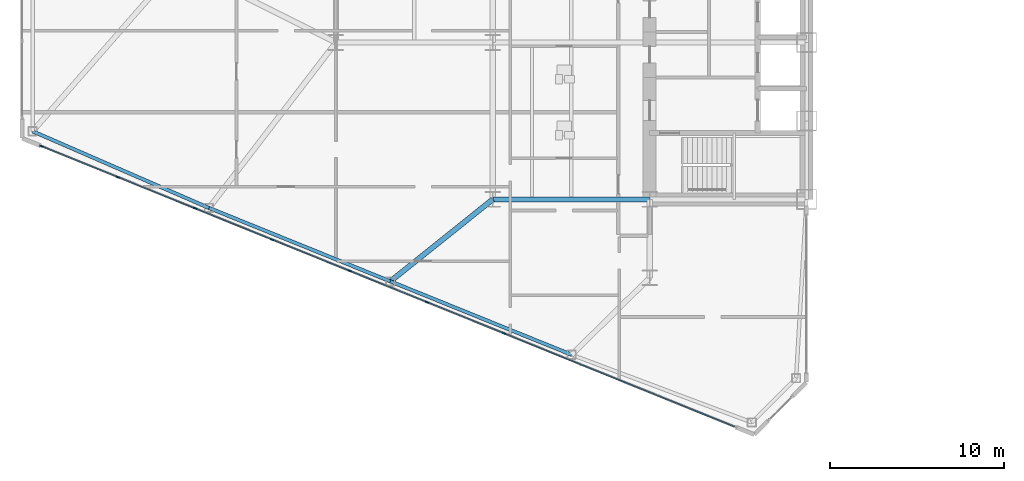
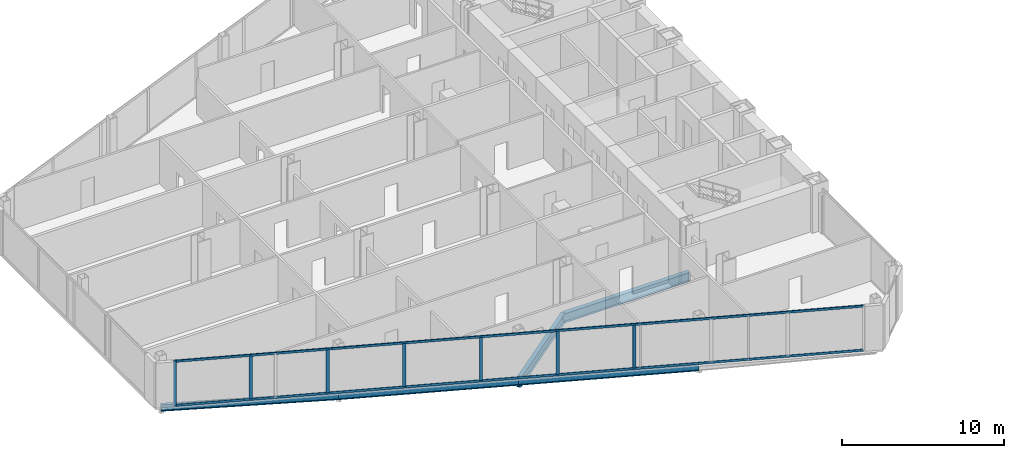
# One storey, part 3 of 25: 9 members, 5 beams, 1 element without a shape of its own.
"""IFC4 building model written with IfcOpenShell, lengths in metres."""

from ifc_helpers import new_model, si_unit, direction, frame, origin, origin_2d, place, context, subcontext, project, spatial, rectangle, i_section, extrude, source, transform, mapped, material, layer, layer_set, material_profile, profile_set, type_object, type_shapes, element, aggregate, save


model = new_model("IFC4")

# Units and contexts
model_context = context("Model", 3, precision=1e-05, world=origin(), true_north=direction((0.0, 1.0)))
body_context = subcontext(model_context, "Body", "Model", "MODEL_VIEW")
ifc_project = project(units=[si_unit("LENGTHUNIT", "METRE"), si_unit("AREAUNIT", "SQUARE_METRE"), si_unit("VOLUMEUNIT", "CUBIC_METRE"), si_unit("PLANEANGLEUNIT", "RADIAN"), si_unit("MASSUNIT", "GRAM", prefix="KILO")], contexts=[model_context])

# Site, building, storey
site_placement = place(None, origin())
site = spatial("IfcSite", under=ifc_project, at=site_placement, CompositionType="ELEMENT")
building_placement = place(site_placement, origin())
building = spatial("IfcBuilding", under=site, at=building_placement, Name="Seokmaru Belvedere", CompositionType="ELEMENT")
storey_placement = place(building_placement, frame((0.0, 0.0, 51.300048828125)))
storey = spatial("IfcBuildingStorey", under=building, at=storey_placement, Name="L13", CompositionType="ELEMENT", Elevation=51.300048828125)

# Beams
ifc_material_1 = material(Name="Steel SM355 (355 MPa)", Category="steel")
ifc_material_profile_1 = material_profile(ifc_material_1, i_section(OverallWidth=0.300048828125, OverallDepth=0.699951171875, WebThickness=0.012939453125, FlangeThickness=0.02392578125, at=origin_2d()), Name="H-700x300x13x24")
ifc_profile_set_1 = profile_set([ifc_material_profile_1], Name="Steel SM355 (355 MPa)")
beam_type_1 = type_object("IfcBeamType", Name="Primary Floor Girder H-700", PredefinedType="BEAM", material=ifc_profile_set_1)
shared_shape_1 = source(origin(), body_context, "Body", "SweptSolid", [
    extrude(i_section(OverallWidth=0.300048828125, OverallDepth=0.699951171875, WebThickness=0.012939453125, FlangeThickness=0.02392578125, at=origin_2d()), origin(), (0.0, 0.0, 1.0), 9.0),
])
beam_1_placement = place(storey_placement, frame((-45.5, -13.5, -0.570068359375), z_axis=(1.0, 0.0, 0.0), x_axis=(0.0, 1.0, 0.0)))
element("IfcBeam", 1, at=beam_1_placement, inside=storey, type_object=beam_type_1, Name="L13 W Wing Primary Girder 1", PredefinedType="BEAM", context=body_context, shape_type="MappedRepresentation", body=[
    mapped(shared_shape_1, transform((0.0, 0.0, 0.0), scale=1.0)),
])
ifc_material_profile_2 = material_profile(ifc_material_1, i_section(OverallWidth=0.199951171875, OverallDepth=0.5, WebThickness=0.010009765625, FlangeThickness=0.01611328125, at=origin_2d()), Name="H-500x200x10x16")
ifc_profile_set_2 = profile_set([ifc_material_profile_2], Name="Steel SM355 (355 MPa)")
beam_type_2 = type_object("IfcBeamType", Name="Perimeter Spandrel Beam H-500", PredefinedType="SPANDREL", material=ifc_profile_set_2)
shared_shape_2 = source(origin(), body_context, "Body", "SweptSolid", [
    extrude(i_section(OverallWidth=0.199951171875, OverallDepth=0.5, WebThickness=0.010009765625, FlangeThickness=0.01611328125, at=origin_2d()), origin(), (0.0, 0.0, 1.0), 11.220703125),
])
for number, where, z_axis, x_axis, name in (
    (2, (-40.977294921875, -22.4140625, -0.469970703125), (-0.926944290816, 0.375198989503, 0.0), (-0.375198989503, -0.926944290816, 0.0), "L13 W Faceted Flank Spandrel S-2"),
    (3, (-51.378173828125, -18.2041015625, -0.469970703125), (-0.926944290816, 0.375198989503, 0.0), (-0.375198989503, -0.926944290816, 0.0), "L13 W Faceted Flank Spandrel S-3"),
):
    element("IfcBeam", number, at=place(storey_placement, frame(where, z_axis=z_axis, x_axis=x_axis)), inside=storey, type_object=beam_type_2, Name=name, PredefinedType="SPANDREL", context=body_context, shape_type="MappedRepresentation", body=[
        mapped(shared_shape_2, transform((0.0, 0.0, 0.0), scale=1.0)),
    ])
shared_shape_3 = source(origin(), body_context, "Body", "SweptSolid", [
    extrude(i_section(OverallWidth=0.199951171875, OverallDepth=0.5, WebThickness=0.010009765625, FlangeThickness=0.01611328125, at=origin_2d()), origin(), (0.0, 0.0, 1.0), 11.035400390625),
])
type_shapes(beam_type_2, [shared_shape_2, shared_shape_3])
beam_2_placement = place(storey_placement, frame((-61.779052734375, -13.994140625, -0.469970703125), z_axis=(-0.917134058682, 0.398578873507, 0.0), x_axis=(-0.398578873507, -0.917134058682, 0.0)))
element("IfcBeam", 4, at=beam_2_placement, inside=storey, type_object=beam_type_2, Name="L13 W Faceted Flank Spandrel S-4", PredefinedType="SPANDREL", context=body_context, shape_type="MappedRepresentation", body=[
    mapped(shared_shape_3, transform((0.0, 0.0, 0.0), scale=1.0)),
])
shared_shape_4 = source(origin(), body_context, "Body", "SweptSolid", [
    extrude(i_section(OverallWidth=0.300048828125, OverallDepth=0.699951171875, WebThickness=0.012939453125, FlangeThickness=0.02392578125, at=origin_2d()), origin(), (0.0, 0.0, 1.0), 7.52880859375),
])
type_shapes(beam_type_1, [shared_shape_1, shared_shape_4])
beam_3_placement = place(storey_placement, frame((-51.378173828125, -18.2041015625, -0.570068359375), z_axis=(0.780767560736, 0.624821587418, 0.0), x_axis=(-0.624821587418, 0.780767560736, 0.0)))
element("IfcBeam", 5, at=beam_3_placement, inside=storey, type_object=beam_type_1, Name="L13 W Flank Radial Floor Girder S-2", PredefinedType="BEAM", context=body_context, shape_type="MappedRepresentation", body=[
    mapped(shared_shape_4, transform((0.0, 0.0, 0.0), scale=1.0)),
])

# Curtain wall, members
ifc_material_2 = material(Name="Bronze Triple Insulating Glass", Category="glass")
ifc_layer = layer(ifc_material_2, 0.2099609375)
ifc_layer_set = layer_set([ifc_layer], Name="Bronze Triple Insulating Glass")
curtain_wall_type = type_object("IfcCurtainWallType", Name="Low-Rise Faceted Crystal Curtain Wall System CW-2", PredefinedType="NOTDEFINED", material=ifc_layer_set)
curtain_wall_placement = place(storey_placement, origin())
curtain_wall = element("IfcCurtainWall", 6, at=curtain_wall_placement, inside=storey, type_object=curtain_wall_type, Name="L13 Curtain Wall WF5", PredefinedType="NOTDEFINED")
ifc_material_3 = material(Name="Anodised Bronze Aluminium", Category="aluminium")
ifc_material_profile_3 = material_profile(ifc_material_3, rectangle(XDim=0.074951171875, YDim=0.2099609375, at=origin_2d()), Name="CW-M-75x210")
ifc_profile_set_3 = profile_set([ifc_material_profile_3], Name="Anodised Bronze Aluminium")
member_type_1 = type_object("IfcMemberType", Name="Bronze Unitised Mullion 75x210", PredefinedType="MULLION", material=ifc_profile_set_3)
shared_shape_5 = source(origin(), body_context, "Body", "SweptSolid", [
    extrude(rectangle(XDim=0.074951171875, YDim=0.2099609375, at=origin_2d()), origin(), (0.0, 0.0, 1.0), 3.239990234375),
])
member_1_placement = place(storey_placement, frame((-67.004150390625, -12.224609375, 0.070068359375), z_axis=(0.0, 0.0, 1.0), x_axis=(0.375192321888, 0.926946989637, 0.0)))
member_1 = element("IfcMember", 7, at=member_1_placement, type_object=member_type_1, Name="CW:L13:WF5 Mullion 2", PredefinedType="MULLION", context=body_context, shape_type="MappedRepresentation", body=[
    mapped(shared_shape_5, transform((0.0, 0.0, 0.0), scale=1.0)),
])
member_2_placement = place(storey_placement, frame((-62.574462890625, -14.017578125, 0.070068359375), z_axis=(0.0, 0.0, 1.0), x_axis=(0.375192321888, 0.926946989637, 0.0)))
member_2 = element("IfcMember", 8, at=member_2_placement, type_object=member_type_1, Name="CW:L13:WF5 Mullion 3", PredefinedType="MULLION", context=body_context, shape_type="MappedRepresentation", body=[
    mapped(shared_shape_5, transform((0.0, 0.0, 0.0), scale=1.0)),
])
member_3_placement = place(storey_placement, frame((-58.144775390625, -15.810546875, 0.070068359375), z_axis=(0.0, 0.0, 1.0), x_axis=(0.375192321888, 0.926946989637, 0.0)))
member_3 = element("IfcMember", 9, at=member_3_placement, type_object=member_type_1, Name="CW:L13:WF5 Mullion 4", PredefinedType="MULLION", context=body_context, shape_type="MappedRepresentation", body=[
    mapped(shared_shape_5, transform((0.0, 0.0, 0.0), scale=1.0)),
])
member_4_placement = place(storey_placement, frame((-53.71484375, -17.603515625, 0.070068359375), z_axis=(0.0, 0.0, 1.0), x_axis=(0.375192321888, 0.926946989637, 0.0)))
member_4 = element("IfcMember", 10, at=member_4_placement, type_object=member_type_1, Name="CW:L13:WF5 Mullion 5", PredefinedType="MULLION", context=body_context, shape_type="MappedRepresentation", body=[
    mapped(shared_shape_5, transform((0.0, 0.0, 0.0), scale=1.0)),
])
member_5_placement = place(storey_placement, frame((-49.28515625, -19.396484375, 0.070068359375), z_axis=(0.0, 0.0, 1.0), x_axis=(0.375192321888, 0.926946989637, 0.0)))
member_5 = element("IfcMember", 11, at=member_5_placement, type_object=member_type_1, Name="CW:L13:WF5 Mullion 6", PredefinedType="MULLION", context=body_context, shape_type="MappedRepresentation", body=[
    mapped(shared_shape_5, transform((0.0, 0.0, 0.0), scale=1.0)),
])
member_6_placement = place(storey_placement, frame((-44.855224609375, -21.189453125, 0.070068359375), z_axis=(0.0, 0.0, 1.0), x_axis=(0.375192321888, 0.926946989637, 0.0)))
member_6 = element("IfcMember", 12, at=member_6_placement, type_object=member_type_1, Name="CW:L13:WF5 Mullion 7", PredefinedType="MULLION", context=body_context, shape_type="MappedRepresentation", body=[
    mapped(shared_shape_5, transform((0.0, 0.0, 0.0), scale=1.0)),
])
ifc_material_profile_4 = material_profile(ifc_material_3, rectangle(XDim=0.070068359375, YDim=0.1650390625, at=origin_2d()), Name="CW-T-70x165")
ifc_profile_set_4 = profile_set([ifc_material_profile_4], Name="Anodised Bronze Aluminium")
member_type_2 = type_object("IfcMemberType", Name="Bronze Unitised Transom 70x165", PredefinedType="USERDEFINED", material=ifc_profile_set_4)
shared_shape_6 = source(origin(), body_context, "Body", "SweptSolid", [
    extrude(rectangle(XDim=0.070068359375, YDim=0.1650390625, at=origin_2d()), origin(), (0.0, 0.0, 1.0), 42.860107421875),
])
type_shapes(member_type_2, [shared_shape_6])
member_7_placement = place(storey_placement, frame((-71.364501953125, -10.459716796875, 0.034912109375), z_axis=(0.926948605599, -0.375188329481, 0.0), x_axis=(0.375188329481, 0.926948605599, 0.0)))
member_7 = element("IfcMember", 13, at=member_7_placement, type_object=member_type_2, Name="CW:L13:WF5 Continuous Transom 1", ObjectType="TRANSOM", PredefinedType="USERDEFINED", context=body_context, shape_type="MappedRepresentation", body=[
    mapped(shared_shape_6, transform((0.0, 0.0, 0.0), scale=1.0)),
])
member_8_placement = place(storey_placement, frame((-71.364501953125, -10.459716796875, 3.344970703125), z_axis=(0.926948605599, -0.375188329481, 0.0), x_axis=(0.375188329481, 0.926948605599, 0.0)))
member_8 = element("IfcMember", 14, at=member_8_placement, type_object=member_type_2, Name="CW:L13:WF5 Continuous Transom 2", ObjectType="TRANSOM", PredefinedType="USERDEFINED", context=body_context, shape_type="MappedRepresentation", body=[
    mapped(shared_shape_6, transform((0.0, 0.0, 0.0), scale=1.0)),
])
shared_shape_7 = source(origin(), body_context, "Body", "SweptSolid", [
    extrude(rectangle(XDim=0.074951171875, YDim=0.2099609375, at=origin_2d()), origin(), (0.0, 0.0, 1.0), 3.3798828125),
])
type_shapes(member_type_1, [shared_shape_5, shared_shape_7])
member_9_placement = place(storey_placement, frame((-71.399169921875, -10.445556640625, 0.0), z_axis=(0.0, 0.0, 1.0), x_axis=(0.375192321888, 0.926946989637, 0.0)))
member_9 = element("IfcMember", 15, at=member_9_placement, type_object=member_type_1, Name="CW:L13:WF5 Mullion 1", PredefinedType="MULLION", context=body_context, shape_type="MappedRepresentation", body=[
    mapped(shared_shape_7, transform((0.0, 0.0, 0.0), scale=1.0)),
])
aggregate(curtain_wall, [member_9, member_1, member_2, member_3, member_4, member_5, member_6, member_7, member_8])

save(model, "model.ifc")
